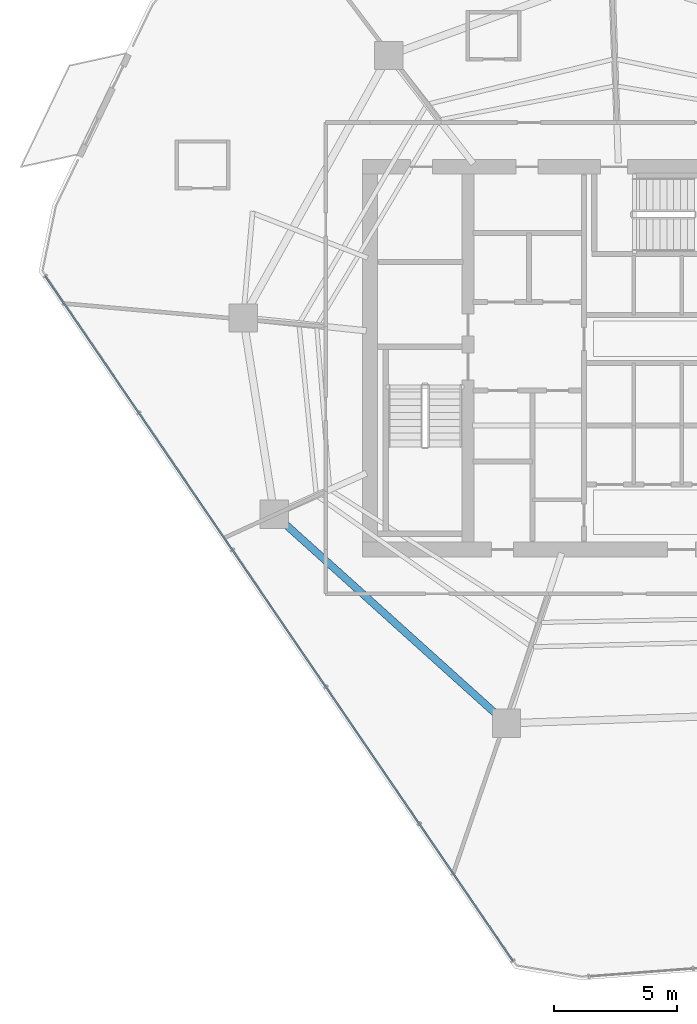
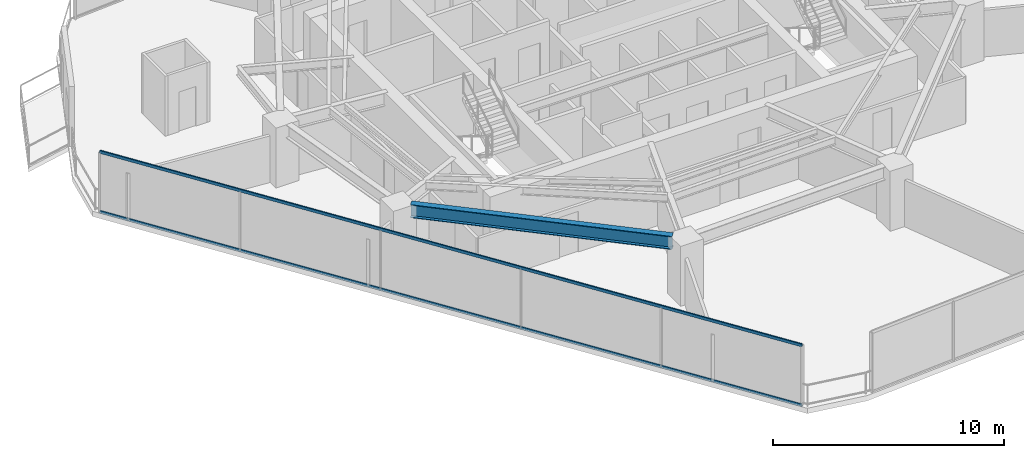
# One storey, part 3 of 30: 2 members, 1 beam, 1 element without a shape of its own.
"""IFC4 building model written with IfcOpenShell, lengths in metres."""

from ifc_helpers import new_model, si_unit, direction, frame, origin, origin_2d, place, context, subcontext, project, spatial, hollow_rectangle, i_section, extrude, material, layer, layer_set, material_profile, profile_set, type_object, element, aggregate, save


model = new_model("IFC4")

# Units and contexts
model_context = context("Model", 3, precision=1e-05, world=origin(), true_north=direction((0.0, 1.0)))
body_context = subcontext(model_context, "Body", "Model", "MODEL_VIEW")
ifc_project = project(units=[si_unit("LENGTHUNIT", "METRE"), si_unit("AREAUNIT", "SQUARE_METRE"), si_unit("VOLUMEUNIT", "CUBIC_METRE"), si_unit("PLANEANGLEUNIT", "RADIAN"), si_unit("MASSUNIT", "GRAM", prefix="KILO")], contexts=[model_context])

# Site, building, storey
site_placement = place(None, origin())
site = spatial("IfcSite", under=ifc_project, at=site_placement, CompositionType="ELEMENT")
building_placement = place(site_placement, origin())
building = spatial("IfcBuilding", under=site, at=building_placement, Name="Qarnah Convention Tower", CompositionType="ELEMENT")
storey_placement = place(building_placement, frame((0.0, 0.0, 83.25)))
storey = spatial("IfcBuildingStorey", under=building, at=storey_placement, Name="L21", CompositionType="ELEMENT", Elevation=83.25)

# Beam
ifc_material_1 = material(Name="Structural steel S355JR", Category="steel")
ifc_material_profile_1 = material_profile(ifc_material_1, i_section(OverallWidth=0.300048828125, OverallDepth=0.699951171875, WebThickness=0.01708984375, FlangeThickness=0.031982421875, at=origin_2d()), Name="HEB700")
ifc_profile_set_1 = profile_set([ifc_material_profile_1], Name="Structural steel S355JR")
beam_type = type_object("IfcBeamType", Name="BM-RING-HEB700", PredefinedType="BEAM", material=ifc_profile_set_1)
beam_placement = place(storey_placement, frame((23.322998046875, 19.656982421875, 2.820068359375), z_axis=(0.743124603424, -0.669153064541, 0.0), x_axis=(0.669153064541, 0.743124603424, 0.0)))
element("IfcBeam", 1, at=beam_placement, inside=storey, type_object=beam_type, Name="L21 beam BM-L21-SPN-06", PredefinedType="BEAM", context=body_context, shape_type="SweptSolid", body=[
    extrude(i_section(OverallWidth=0.300048828125, OverallDepth=0.699951171875, WebThickness=0.01708984375, FlangeThickness=0.031982421875, at=origin_2d()), origin(), (0.0, 0.0, 1.0), 11.60107421875),
])

# Curtain wall, members
ifc_material_2 = material(Name="Tempered Low-E dark glass", Category="glass")
ifc_layer = layer(ifc_material_2, 0.169921875)
ifc_layer_set = layer_set([ifc_layer], Name="Tempered Low-E dark glass")
curtain_wall_type = type_object("IfcCurtainWallType", Name="CWS-02", PredefinedType="NOTDEFINED", material=ifc_layer_set)
curtain_wall_placement = place(storey_placement, origin())
curtain_wall = element("IfcCurtainWall", 2, at=curtain_wall_placement, inside=storey, type_object=curtain_wall_type, Name="L21 unitised curtain wall CW-L21-F3", PredefinedType="NOTDEFINED")
ifc_material_3 = material(Name="Black anodised aluminium", Category="aluminium")
ifc_material_profile_2 = material_profile(ifc_material_3, hollow_rectangle(XDim=0.06494140625, YDim=0.14990234375, WallThickness=0.00390625, at=origin_2d()), Name="TRN-65X150")
ifc_profile_set_2 = profile_set([ifc_material_profile_2], Name="Black anodised aluminium")
member_type = type_object("IfcMemberType", Name="TRN-T2", PredefinedType="USERDEFINED", material=ifc_profile_set_2)
member_1_placement = place(storey_placement, frame((32.6259765625, 1.839111328125, 0.0), z_axis=(-0.563816567239, 0.825900041474, 0.0), x_axis=(-0.825900041474, -0.563816567239, 0.0)))
member_1 = element("IfcMember", 3, at=member_1_placement, type_object=member_type, Name="CW-L21-F3 transom 1", ObjectType="TRANSOM", PredefinedType="USERDEFINED", context=body_context, shape_type="SweptSolid", body=[
    extrude(hollow_rectangle(XDim=0.06494140625, YDim=0.14990234375, WallThickness=0.00390625, at=origin_2d()), origin(), (0.0, 0.0, 1.0), 33.785888671875),
])
member_2_placement = place(storey_placement, frame((32.6259765625, 1.839111328125, 3.169921875), z_axis=(-0.563816567239, 0.825900041474, 0.0), x_axis=(-0.825900041474, -0.563816567239, 0.0)))
member_2 = element("IfcMember", 4, at=member_2_placement, type_object=member_type, Name="CW-L21-F3 transom 2", ObjectType="TRANSOM", PredefinedType="USERDEFINED", context=body_context, shape_type="SweptSolid", body=[
    extrude(hollow_rectangle(XDim=0.06494140625, YDim=0.14990234375, WallThickness=0.00390625, at=origin_2d()), origin(), (0.0, 0.0, 1.0), 33.785888671875),
])
aggregate(curtain_wall, [member_1, member_2])

save(model, "model.ifc")
